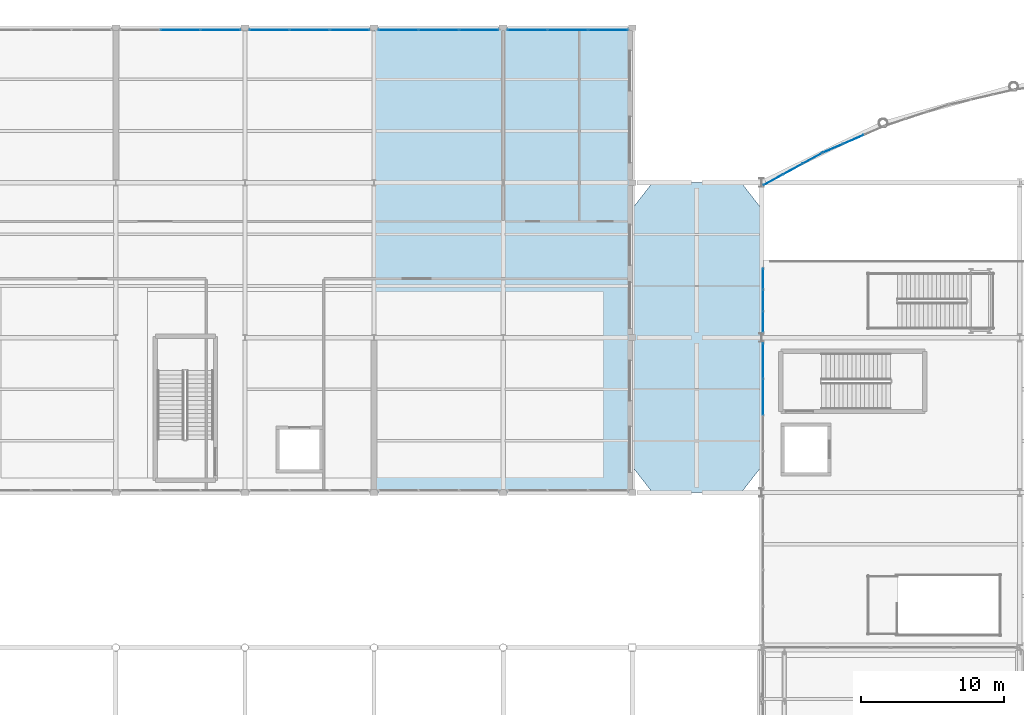
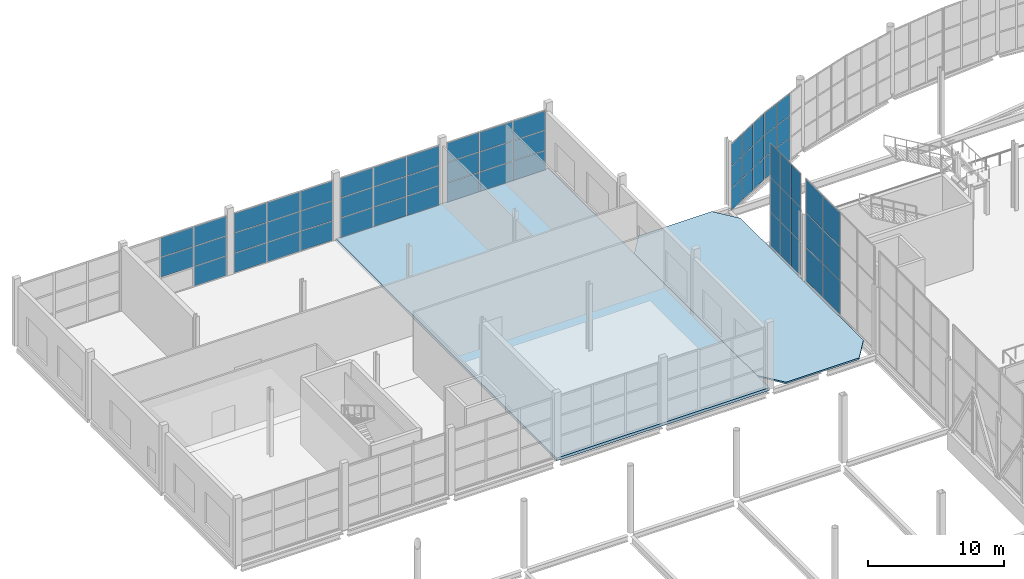
# One storey, part 153 of 191: 62 plates, 2 slabs, 8 elements without a shape of their own.
"""IFC4 building model written with IfcOpenShell, lengths in metres."""

from ifc_helpers import new_model, si_unit, direction, frame, origin, origin_2d, place, context, subcontext, project, spatial, polyline, rectangle, outline, extrude, material, layer, layer_set, type_object, element, aggregate, save


model = new_model("IFC4")

# Units and contexts
model_context = context("Model", 3, precision=1e-05, world=origin(), true_north=direction((0.0, 1.0)))
body_context = subcontext(model_context, "Body", "Model", "MODEL_VIEW")
ifc_project = project(units=[si_unit("LENGTHUNIT", "METRE"), si_unit("AREAUNIT", "SQUARE_METRE"), si_unit("VOLUMEUNIT", "CUBIC_METRE"), si_unit("PLANEANGLEUNIT", "RADIAN"), si_unit("MASSUNIT", "GRAM", prefix="KILO")], contexts=[model_context])

# Site, building, storey
site_placement = place(None, origin())
site = spatial("IfcSite", under=ifc_project, at=site_placement, CompositionType="ELEMENT")
building_placement = place(site_placement, origin())
building = spatial("IfcBuilding", under=site, at=building_placement, Name="Tamarisk Ironworks Central Station", CompositionType="ELEMENT")
storey_placement = place(building_placement, frame((0.0, 0.0, 6.60009765625)))
storey = spatial("IfcBuildingStorey", under=building, at=storey_placement, Name="L01", CompositionType="ELEMENT", Elevation=6.60009765625)

# Curtain wall, plates
ifc_material_1 = material(Name="Anodized aluminium alloy 6063-T6", Category="aluminium")
ifc_layer_1 = layer(ifc_material_1, 0.179931640625)
ifc_layer_set_1 = layer_set([ifc_layer_1], Name="Anodized aluminium alloy 6063-T6")
curtain_wall_type_1 = type_object("IfcCurtainWallType", Name="CW-08", PredefinedType="USERDEFINED", material=ifc_layer_set_1)
curtain_wall_1_placement = place(storey_placement, origin())
curtain_wall_1 = element("IfcCurtainWall", 1, at=curtain_wall_1_placement, inside=storey, type_object=curtain_wall_type_1, Name="Concourse W track-overlook curtain wall 07", ObjectType="GLAZED CURTAIN WALL", PredefinedType="USERDEFINED")
ifc_layer_2 = layer(ifc_material_1, 0.02392578125)
ifc_layer_set_2 = layer_set([ifc_layer_2], Name="Anodized aluminium alloy 6063-T6")
plate_type_1 = type_object("IfcPlateType", Name="PL-CWP24", PredefinedType="CURTAIN_PANEL", material=ifc_layer_set_2)
plate_1_placement = place(storey_placement, frame((54.1201171875, 96.66259765625, 0.0537109375), z_axis=(0.0, 0.0, 1.0), x_axis=(0.0, 1.0, 0.0)))
plate_1 = element("IfcPlate", 2, at=plate_1_placement, type_object=plate_type_1, Name="CW08 panel 3.1", PredefinedType="CURTAIN_PANEL", context=body_context, shape_type="SweptSolid", body=[
    extrude(rectangle(XDim=2.47705078125, YDim=0.02392578125, at=origin_2d()), origin(), (0.0, 0.0, 1.0), 2.995361328125),
])
plate_2_placement = place(storey_placement, frame((54.1201171875, 96.66259765625, 3.09716796875), z_axis=(0.0, 0.0, 1.0), x_axis=(0.0, 1.0, 0.0)))
plate_2 = element("IfcPlate", 3, at=plate_2_placement, type_object=plate_type_1, Name="CW08 panel 3.2", PredefinedType="CURTAIN_PANEL", context=body_context, shape_type="SweptSolid", body=[
    extrude(rectangle(XDim=2.47705078125, YDim=0.02392578125, at=origin_2d()), origin(), (0.0, 0.0, 1.0), 3.025390625),
])
plate_3_placement = place(storey_placement, frame((54.1201171875, 96.66259765625, 6.17041015625), z_axis=(0.0, 0.0, 1.0), x_axis=(0.0, 1.0, 0.0)))
plate_3 = element("IfcPlate", 4, at=plate_3_placement, type_object=plate_type_1, Name="CW08 panel 3.3", PredefinedType="CURTAIN_PANEL", context=body_context, shape_type="SweptSolid", body=[
    extrude(rectangle(XDim=2.47705078125, YDim=0.02392578125, at=origin_2d()), origin(), (0.0, 0.0, 1.0), 2.995361328125),
])
plate_4_placement = place(storey_placement, frame((54.1201171875, 99.172607421875, 0.0537109375), z_axis=(0.0, 0.0, 1.0), x_axis=(0.0, 1.0, 0.0)))
plate_4 = element("IfcPlate", 5, at=plate_4_placement, type_object=plate_type_1, Name="CW08 panel 4.1", PredefinedType="CURTAIN_PANEL", context=body_context, shape_type="SweptSolid", body=[
    extrude(rectangle(XDim=2.447021484375, YDim=0.02392578125, at=origin_2d()), origin(), (0.0, 0.0, 1.0), 2.995361328125),
])
plate_5_placement = place(storey_placement, frame((54.1201171875, 99.172607421875, 3.09716796875), z_axis=(0.0, 0.0, 1.0), x_axis=(0.0, 1.0, 0.0)))
plate_5 = element("IfcPlate", 6, at=plate_5_placement, type_object=plate_type_1, Name="CW08 panel 4.2", PredefinedType="CURTAIN_PANEL", context=body_context, shape_type="SweptSolid", body=[
    extrude(rectangle(XDim=2.447021484375, YDim=0.02392578125, at=origin_2d()), origin(), (0.0, 0.0, 1.0), 3.025390625),
])
plate_6_placement = place(storey_placement, frame((54.1201171875, 99.172607421875, 6.17041015625), z_axis=(0.0, 0.0, 1.0), x_axis=(0.0, 1.0, 0.0)))
plate_6 = element("IfcPlate", 7, at=plate_6_placement, type_object=plate_type_1, Name="CW08 panel 4.3", PredefinedType="CURTAIN_PANEL", context=body_context, shape_type="SweptSolid", body=[
    extrude(rectangle(XDim=2.447021484375, YDim=0.02392578125, at=origin_2d()), origin(), (0.0, 0.0, 1.0), 2.995361328125),
])
aggregate(curtain_wall_1, [plate_1, plate_2, plate_3, plate_4, plate_5, plate_6])

ifc_layer_3 = layer(ifc_material_1, 0.179931640625)
ifc_layer_set_3 = layer_set([ifc_layer_3], Name="Anodized aluminium alloy 6063-T6")
curtain_wall_type_2 = type_object("IfcCurtainWallType", Name="CW-02", PredefinedType="USERDEFINED", material=ifc_layer_set_3)
curtain_wall_2_placement = place(storey_placement, origin())
curtain_wall_2 = element("IfcCurtainWall", 8, at=curtain_wall_2_placement, inside=storey, type_object=curtain_wall_type_2, Name="NN rounded entrance hall L01 curtain wall bay 01", ObjectType="GLAZED CURTAIN WALL", PredefinedType="USERDEFINED")
ifc_material_2 = material(Name="Laminated solar-control low-E glass", Category="glass")
ifc_layer_4 = layer(ifc_material_2, 0.028076171875)
ifc_layer_set_4 = layer_set([ifc_layer_4], Name="Laminated solar-control low-E glass")
plate_type_2 = type_object("IfcPlateType", Name="PL-CWP28", PredefinedType="CURTAIN_PANEL", material=ifc_layer_set_4)
plate_7_placement = place(storey_placement, frame((54.817626953125, 111.796630859375, -0.3310546875), z_axis=(0.0, 0.0, 1.0), x_axis=(0.877374910495, 0.47980544644, 0.0)))
plate_7 = element("IfcPlate", 9, at=plate_7_placement, type_object=plate_type_2, Name="CW02 panel 1.1", PredefinedType="CURTAIN_PANEL", context=body_context, shape_type="SweptSolid", body=[
    extrude(rectangle(XDim=1.491943359375, YDim=0.028076171875, at=origin_2d()), origin(), (0.0, 0.0, 1.0), 1.923583984375),
])
plate_8_placement = place(storey_placement, frame((54.817626953125, 111.796630859375, 1.640625), z_axis=(0.0, 0.0, 1.0), x_axis=(0.877374910495, 0.47980544644, 0.0)))
plate_8 = element("IfcPlate", 10, at=plate_8_placement, type_object=plate_type_2, Name="CW02 panel 1.2", PredefinedType="CURTAIN_PANEL", context=body_context, shape_type="SweptSolid", body=[
    extrude(rectangle(XDim=1.491943359375, YDim=0.028076171875, at=origin_2d()), origin(), (0.0, 0.0, 1.0), 1.95361328125),
])
plate_9_placement = place(storey_placement, frame((54.817626953125, 111.796630859375, 3.64208984375), z_axis=(0.0, 0.0, 1.0), x_axis=(0.877374910495, 0.47980544644, 0.0)))
plate_9 = element("IfcPlate", 11, at=plate_9_placement, type_object=plate_type_2, Name="CW02 panel 1.3", PredefinedType="CURTAIN_PANEL", context=body_context, shape_type="SweptSolid", body=[
    extrude(rectangle(XDim=1.491943359375, YDim=0.028076171875, at=origin_2d()), origin(), (0.0, 0.0, 1.0), 1.923583984375),
])
plate_10_placement = place(storey_placement, frame((56.181640625, 112.542724609375, -0.3310546875), z_axis=(0.0, 0.0, 1.0), x_axis=(0.877374910495, 0.47980544644, 0.0)))
plate_10 = element("IfcPlate", 12, at=plate_10_placement, type_object=plate_type_2, Name="CW02 panel 2.1", PredefinedType="CURTAIN_PANEL", context=body_context, shape_type="SweptSolid", body=[
    extrude(rectangle(XDim=1.52197265625, YDim=0.028076171875, at=origin_2d()), origin(), (0.0, 0.0, 1.0), 1.923583984375),
])
plate_11_placement = place(storey_placement, frame((56.181640625, 112.542724609375, 1.640625), z_axis=(0.0, 0.0, 1.0), x_axis=(0.877374910495, 0.47980544644, 0.0)))
plate_11 = element("IfcPlate", 13, at=plate_11_placement, type_object=plate_type_2, Name="CW02 panel 2.2", PredefinedType="CURTAIN_PANEL", context=body_context, shape_type="SweptSolid", body=[
    extrude(rectangle(XDim=1.52197265625, YDim=0.028076171875, at=origin_2d()), origin(), (0.0, 0.0, 1.0), 1.95361328125),
])
plate_12_placement = place(storey_placement, frame((56.181640625, 112.542724609375, 3.64208984375), z_axis=(0.0, 0.0, 1.0), x_axis=(0.877374910495, 0.47980544644, 0.0)))
plate_12 = element("IfcPlate", 14, at=plate_12_placement, type_object=plate_type_2, Name="CW02 panel 2.3", PredefinedType="CURTAIN_PANEL", context=body_context, shape_type="SweptSolid", body=[
    extrude(rectangle(XDim=1.52197265625, YDim=0.028076171875, at=origin_2d()), origin(), (0.0, 0.0, 1.0), 1.923583984375),
])
plate_13_placement = place(storey_placement, frame((57.5458984375, 113.288818359375, -0.3310546875), z_axis=(0.0, 0.0, 1.0), x_axis=(0.877374910495, 0.47980544644, 0.0)))
plate_13 = element("IfcPlate", 15, at=plate_13_placement, type_object=plate_type_2, Name="CW02 panel 3.1", PredefinedType="CURTAIN_PANEL", context=body_context, shape_type="SweptSolid", body=[
    extrude(rectangle(XDim=1.491943359375, YDim=0.028076171875, at=origin_2d()), origin(), (0.0, 0.0, 1.0), 1.923583984375),
])
plate_14_placement = place(storey_placement, frame((57.5458984375, 113.288818359375, 1.640625), z_axis=(0.0, 0.0, 1.0), x_axis=(0.877374910495, 0.47980544644, 0.0)))
plate_14 = element("IfcPlate", 16, at=plate_14_placement, type_object=plate_type_2, Name="CW02 panel 3.2", PredefinedType="CURTAIN_PANEL", context=body_context, shape_type="SweptSolid", body=[
    extrude(rectangle(XDim=1.491943359375, YDim=0.028076171875, at=origin_2d()), origin(), (0.0, 0.0, 1.0), 1.95361328125),
])
plate_15_placement = place(storey_placement, frame((57.5458984375, 113.288818359375, 3.64208984375), z_axis=(0.0, 0.0, 1.0), x_axis=(0.877374910495, 0.47980544644, 0.0)))
plate_15 = element("IfcPlate", 17, at=plate_15_placement, type_object=plate_type_2, Name="CW02 panel 3.3", PredefinedType="CURTAIN_PANEL", context=body_context, shape_type="SweptSolid", body=[
    extrude(rectangle(XDim=1.491943359375, YDim=0.028076171875, at=origin_2d()), origin(), (0.0, 0.0, 1.0), 1.923583984375),
])
aggregate(curtain_wall_2, [plate_7, plate_8, plate_9, plate_10, plate_11, plate_12, plate_13, plate_14, plate_15])

curtain_wall_3_placement = place(storey_placement, origin())
curtain_wall_3 = element("IfcCurtainWall", 18, at=curtain_wall_3_placement, inside=storey, type_object=curtain_wall_type_2, Name="NN rounded entrance hall L01 curtain wall bay 02", ObjectType="GLAZED CURTAIN WALL", PredefinedType="USERDEFINED")
plate_16_placement = place(storey_placement, frame((58.981689453125, 113.990966796875, -0.3310546875), z_axis=(0.0, 0.0, 1.0), x_axis=(0.917352033503, 0.398076935564, 0.0)))
plate_16 = element("IfcPlate", 19, at=plate_16_placement, type_object=plate_type_2, Name="CW02 panel 1.1", PredefinedType="CURTAIN_PANEL", context=body_context, shape_type="SweptSolid", body=[
    extrude(rectangle(XDim=1.491943359375, YDim=0.028076171875, at=origin_2d()), origin(), (0.0, 0.0, 1.0), 1.923583984375),
])
plate_17_placement = place(storey_placement, frame((58.981689453125, 113.990966796875, 1.640625), z_axis=(0.0, 0.0, 1.0), x_axis=(0.917352033503, 0.398076935564, 0.0)))
plate_17 = element("IfcPlate", 20, at=plate_17_placement, type_object=plate_type_2, Name="CW02 panel 1.2", PredefinedType="CURTAIN_PANEL", context=body_context, shape_type="SweptSolid", body=[
    extrude(rectangle(XDim=1.491943359375, YDim=0.028076171875, at=origin_2d()), origin(), (0.0, 0.0, 1.0), 1.95361328125),
])
plate_18_placement = place(storey_placement, frame((58.981689453125, 113.990966796875, 3.64208984375), z_axis=(0.0, 0.0, 1.0), x_axis=(0.917352033503, 0.398076935564, 0.0)))
plate_18 = element("IfcPlate", 21, at=plate_18_placement, type_object=plate_type_2, Name="CW02 panel 1.3", PredefinedType="CURTAIN_PANEL", context=body_context, shape_type="SweptSolid", body=[
    extrude(rectangle(XDim=1.491943359375, YDim=0.028076171875, at=origin_2d()), origin(), (0.0, 0.0, 1.0), 1.923583984375),
])
plate_19_placement = place(storey_placement, frame((60.407958984375, 114.610107421875, -0.3310546875), z_axis=(0.0, 0.0, 1.0), x_axis=(0.917352033503, 0.398076935564, 0.0)))
plate_19 = element("IfcPlate", 22, at=plate_19_placement, type_object=plate_type_2, Name="CW02 panel 2.1", PredefinedType="CURTAIN_PANEL", context=body_context, shape_type="SweptSolid", body=[
    extrude(rectangle(XDim=1.52197265625, YDim=0.028076171875, at=origin_2d()), origin(), (0.0, 0.0, 1.0), 1.923583984375),
])
plate_20_placement = place(storey_placement, frame((60.407958984375, 114.610107421875, 1.640625), z_axis=(0.0, 0.0, 1.0), x_axis=(0.917352033503, 0.398076935564, 0.0)))
plate_20 = element("IfcPlate", 23, at=plate_20_placement, type_object=plate_type_2, Name="CW02 panel 2.2", PredefinedType="CURTAIN_PANEL", context=body_context, shape_type="SweptSolid", body=[
    extrude(rectangle(XDim=1.52197265625, YDim=0.028076171875, at=origin_2d()), origin(), (0.0, 0.0, 1.0), 1.95361328125),
])
plate_21_placement = place(storey_placement, frame((60.407958984375, 114.610107421875, 3.64208984375), z_axis=(0.0, 0.0, 1.0), x_axis=(0.917352033503, 0.398076935564, 0.0)))
plate_21 = element("IfcPlate", 24, at=plate_21_placement, type_object=plate_type_2, Name="CW02 panel 2.3", PredefinedType="CURTAIN_PANEL", context=body_context, shape_type="SweptSolid", body=[
    extrude(rectangle(XDim=1.52197265625, YDim=0.028076171875, at=origin_2d()), origin(), (0.0, 0.0, 1.0), 1.923583984375),
])
aggregate(curtain_wall_3, [plate_16, plate_17, plate_18, plate_19, plate_20, plate_21])

ifc_layer_5 = layer(ifc_material_1, 0.179931640625)
ifc_layer_set_5 = layer_set([ifc_layer_5], Name="Anodized aluminium alloy 6063-T6")
curtain_wall_type_3 = type_object("IfcCurtainWallType", Name="CW-05", PredefinedType="USERDEFINED", material=ifc_layer_set_5)
curtain_wall_4_placement = place(storey_placement, origin())
curtain_wall_4 = element("IfcCurtainWall", 25, at=curtain_wall_4_placement, inside=storey, type_object=curtain_wall_type_3, Name="Concourse W track-overlook curtain wall 08", ObjectType="GLAZED CURTAIN WALL", PredefinedType="USERDEFINED")
plate_22_placement = place(storey_placement, frame((54.1201171875, 101.9150390625, 0.0537109375), z_axis=(0.0, 0.0, 1.0), x_axis=(0.0, 1.0, 0.0)))
plate_22 = element("IfcPlate", 26, at=plate_22_placement, type_object=plate_type_2, Name="CW05 panel 1.1", PredefinedType="CURTAIN_PANEL", context=body_context, shape_type="SweptSolid", body=[
    extrude(rectangle(XDim=1.422119140625, YDim=0.028076171875, at=origin_2d()), origin(), (0.0, 0.0, 1.0), 2.995361328125),
])
plate_23_placement = place(storey_placement, frame((54.1201171875, 101.9150390625, 3.09716796875), z_axis=(0.0, 0.0, 1.0), x_axis=(0.0, 1.0, 0.0)))
plate_23 = element("IfcPlate", 27, at=plate_23_placement, type_object=plate_type_2, Name="CW05 panel 1.2", PredefinedType="CURTAIN_PANEL", context=body_context, shape_type="SweptSolid", body=[
    extrude(rectangle(XDim=1.422119140625, YDim=0.028076171875, at=origin_2d()), origin(), (0.0, 0.0, 1.0), 3.025390625),
])
plate_24_placement = place(storey_placement, frame((54.1201171875, 101.9150390625, 6.17041015625), z_axis=(0.0, 0.0, 1.0), x_axis=(0.0, 1.0, 0.0)))
plate_24 = element("IfcPlate", 28, at=plate_24_placement, type_object=plate_type_2, Name="CW05 panel 1.3", PredefinedType="CURTAIN_PANEL", context=body_context, shape_type="SweptSolid", body=[
    extrude(rectangle(XDim=1.422119140625, YDim=0.028076171875, at=origin_2d()), origin(), (0.0, 0.0, 1.0), 2.995361328125),
])
plate_25_placement = place(storey_placement, frame((54.1201171875, 103.39990234375, 0.0537109375), z_axis=(0.0, 0.0, 1.0), x_axis=(0.0, 1.0, 0.0)))
plate_25 = element("IfcPlate", 29, at=plate_25_placement, type_object=plate_type_2, Name="CW05 panel 2.1", PredefinedType="CURTAIN_PANEL", context=body_context, shape_type="SweptSolid", body=[
    extrude(rectangle(XDim=1.451904296875, YDim=0.028076171875, at=origin_2d()), origin(), (0.0, 0.0, 1.0), 2.995361328125),
])
plate_26_placement = place(storey_placement, frame((54.1201171875, 103.39990234375, 3.09716796875), z_axis=(0.0, 0.0, 1.0), x_axis=(0.0, 1.0, 0.0)))
plate_26 = element("IfcPlate", 30, at=plate_26_placement, type_object=plate_type_2, Name="CW05 panel 2.2", PredefinedType="CURTAIN_PANEL", context=body_context, shape_type="SweptSolid", body=[
    extrude(rectangle(XDim=1.451904296875, YDim=0.028076171875, at=origin_2d()), origin(), (0.0, 0.0, 1.0), 3.025390625),
])
plate_27_placement = place(storey_placement, frame((54.1201171875, 103.39990234375, 6.17041015625), z_axis=(0.0, 0.0, 1.0), x_axis=(0.0, 1.0, 0.0)))
plate_27 = element("IfcPlate", 31, at=plate_27_placement, type_object=plate_type_2, Name="CW05 panel 2.3", PredefinedType="CURTAIN_PANEL", context=body_context, shape_type="SweptSolid", body=[
    extrude(rectangle(XDim=1.451904296875, YDim=0.028076171875, at=origin_2d()), origin(), (0.0, 0.0, 1.0), 2.995361328125),
])
plate_28_placement = place(storey_placement, frame((54.1201171875, 104.885009765625, 0.0537109375), z_axis=(0.0, 0.0, 1.0), x_axis=(0.0, 1.0, 0.0)))
plate_28 = element("IfcPlate", 32, at=plate_28_placement, type_object=plate_type_2, Name="CW05 panel 3.1", PredefinedType="CURTAIN_PANEL", context=body_context, shape_type="SweptSolid", body=[
    extrude(rectangle(XDim=1.422119140625, YDim=0.028076171875, at=origin_2d()), origin(), (0.0, 0.0, 1.0), 2.995361328125),
])
plate_29_placement = place(storey_placement, frame((54.1201171875, 104.885009765625, 3.09716796875), z_axis=(0.0, 0.0, 1.0), x_axis=(0.0, 1.0, 0.0)))
plate_29 = element("IfcPlate", 33, at=plate_29_placement, type_object=plate_type_2, Name="CW05 panel 3.2", PredefinedType="CURTAIN_PANEL", context=body_context, shape_type="SweptSolid", body=[
    extrude(rectangle(XDim=1.422119140625, YDim=0.028076171875, at=origin_2d()), origin(), (0.0, 0.0, 1.0), 3.025390625),
])
plate_30_placement = place(storey_placement, frame((54.1201171875, 104.885009765625, 6.17041015625), z_axis=(0.0, 0.0, 1.0), x_axis=(0.0, 1.0, 0.0)))
plate_30 = element("IfcPlate", 34, at=plate_30_placement, type_object=plate_type_2, Name="CW05 panel 3.3", PredefinedType="CURTAIN_PANEL", context=body_context, shape_type="SweptSolid", body=[
    extrude(rectangle(XDim=1.422119140625, YDim=0.028076171875, at=origin_2d()), origin(), (0.0, 0.0, 1.0), 2.995361328125),
])
aggregate(curtain_wall_4, [plate_22, plate_23, plate_24, plate_25, plate_26, plate_27, plate_28, plate_29, plate_30])

ifc_layer_6 = layer(ifc_material_1, 0.179931640625)
ifc_layer_set_6 = layer_set([ifc_layer_6], Name="Anodized aluminium alloy 6063-T6")
curtain_wall_type_4 = type_object("IfcCurtainWallType", Name="CW-13", PredefinedType="USERDEFINED", material=ifc_layer_set_6)
curtain_wall_5_placement = place(storey_placement, origin())
curtain_wall_5 = element("IfcCurtainWall", 35, at=curtain_wall_5_placement, inside=storey, type_object=curtain_wall_type_4, Name="Pavilion L01 N glazed arcade 09", ObjectType="GLAZED CURTAIN WALL", PredefinedType="USERDEFINED")
plate_31_placement = place(storey_placement, frame((13.5, 122.25, 1.8330078125), z_axis=(0.0, 0.0, 1.0), x_axis=(1.0, 0.0, 0.0)))
plate_31 = element("IfcPlate", 36, at=plate_31_placement, type_object=plate_type_2, Name="CW13 panel 2.2", PredefinedType="CURTAIN_PANEL", context=body_context, shape_type="SweptSolid", body=[
    extrude(rectangle(XDim=2.764892578125, YDim=0.028076171875, at=origin_2d()), origin(), (0.0, 0.0, 1.0), 1.753662109375),
])
plate_32_placement = place(storey_placement, frame((13.5, 122.25, 3.6396484375), z_axis=(0.0, 0.0, 1.0), x_axis=(1.0, 0.0, 0.0)))
plate_32 = element("IfcPlate", 37, at=plate_32_placement, type_object=plate_type_2, Name="CW13 panel 2.3", PredefinedType="CURTAIN_PANEL", context=body_context, shape_type="SweptSolid", body=[
    extrude(rectangle(XDim=2.764892578125, YDim=0.028076171875, at=origin_2d()), origin(), (0.0, 0.0, 1.0), 1.72119140625),
])
plate_33_placement = place(storey_placement, frame((16.3017578125, 122.25, 0.058837890625), z_axis=(0.0, 0.0, 1.0), x_axis=(1.0, 0.0, 0.0)))
plate_33 = element("IfcPlate", 38, at=plate_33_placement, type_object=plate_type_2, Name="CW13 panel 3.1", PredefinedType="CURTAIN_PANEL", context=body_context, shape_type="SweptSolid", body=[
    extrude(rectangle(XDim=2.732421875, YDim=0.028076171875, at=origin_2d()), origin(), (0.0, 0.0, 1.0), 1.72119140625),
])
plate_34_placement = place(storey_placement, frame((16.3017578125, 122.25, 1.8330078125), z_axis=(0.0, 0.0, 1.0), x_axis=(1.0, 0.0, 0.0)))
plate_34 = element("IfcPlate", 39, at=plate_34_placement, type_object=plate_type_2, Name="CW13 panel 3.2", PredefinedType="CURTAIN_PANEL", context=body_context, shape_type="SweptSolid", body=[
    extrude(rectangle(XDim=2.732421875, YDim=0.028076171875, at=origin_2d()), origin(), (0.0, 0.0, 1.0), 1.753662109375),
])
plate_35_placement = place(storey_placement, frame((16.3017578125, 122.25, 3.6396484375), z_axis=(0.0, 0.0, 1.0), x_axis=(1.0, 0.0, 0.0)))
plate_35 = element("IfcPlate", 40, at=plate_35_placement, type_object=plate_type_2, Name="CW13 panel 3.3", PredefinedType="CURTAIN_PANEL", context=body_context, shape_type="SweptSolid", body=[
    extrude(rectangle(XDim=2.732421875, YDim=0.028076171875, at=origin_2d()), origin(), (0.0, 0.0, 1.0), 1.72119140625),
])
aggregate(curtain_wall_5, [plate_31, plate_32, plate_33, plate_34, plate_35])

curtain_wall_6_placement = place(storey_placement, origin())
curtain_wall_6 = element("IfcCurtainWall", 41, at=curtain_wall_6_placement, inside=storey, type_object=curtain_wall_type_4, Name="Pavilion L01 N glazed arcade 18", ObjectType="GLAZED CURTAIN WALL", PredefinedType="USERDEFINED")
plate_36_placement = place(storey_placement, frame((19.6982421875, 122.25, 0.058837890625), z_axis=(0.0, 0.0, 1.0), x_axis=(1.0, 0.0, 0.0)))
plate_36 = element("IfcPlate", 42, at=plate_36_placement, type_object=plate_type_2, Name="CW13 panel 1.1", PredefinedType="CURTAIN_PANEL", context=body_context, shape_type="SweptSolid", body=[
    extrude(rectangle(XDim=2.732421875, YDim=0.028076171875, at=origin_2d()), origin(), (0.0, 0.0, 1.0), 1.72119140625),
])
plate_37_placement = place(storey_placement, frame((19.6982421875, 122.25, 1.8330078125), z_axis=(0.0, 0.0, 1.0), x_axis=(1.0, 0.0, 0.0)))
plate_37 = element("IfcPlate", 43, at=plate_37_placement, type_object=plate_type_2, Name="CW13 panel 1.2", PredefinedType="CURTAIN_PANEL", context=body_context, shape_type="SweptSolid", body=[
    extrude(rectangle(XDim=2.732421875, YDim=0.028076171875, at=origin_2d()), origin(), (0.0, 0.0, 1.0), 1.753662109375),
])
plate_38_placement = place(storey_placement, frame((19.6982421875, 122.25, 3.6396484375), z_axis=(0.0, 0.0, 1.0), x_axis=(1.0, 0.0, 0.0)))
plate_38 = element("IfcPlate", 44, at=plate_38_placement, type_object=plate_type_2, Name="CW13 panel 1.3", PredefinedType="CURTAIN_PANEL", context=body_context, shape_type="SweptSolid", body=[
    extrude(rectangle(XDim=2.732421875, YDim=0.028076171875, at=origin_2d()), origin(), (0.0, 0.0, 1.0), 1.72119140625),
])
plate_39_placement = place(storey_placement, frame((22.5, 122.25, 0.058837890625), z_axis=(0.0, 0.0, 1.0), x_axis=(1.0, 0.0, 0.0)))
plate_39 = element("IfcPlate", 45, at=plate_39_placement, type_object=plate_type_2, Name="CW13 panel 2.1", PredefinedType="CURTAIN_PANEL", context=body_context, shape_type="SweptSolid", body=[
    extrude(rectangle(XDim=2.764892578125, YDim=0.028076171875, at=origin_2d()), origin(), (0.0, 0.0, 1.0), 1.72119140625),
])
plate_40_placement = place(storey_placement, frame((22.5, 122.25, 1.8330078125), z_axis=(0.0, 0.0, 1.0), x_axis=(1.0, 0.0, 0.0)))
plate_40 = element("IfcPlate", 46, at=plate_40_placement, type_object=plate_type_2, Name="CW13 panel 2.2", PredefinedType="CURTAIN_PANEL", context=body_context, shape_type="SweptSolid", body=[
    extrude(rectangle(XDim=2.764892578125, YDim=0.028076171875, at=origin_2d()), origin(), (0.0, 0.0, 1.0), 1.753662109375),
])
plate_41_placement = place(storey_placement, frame((22.5, 122.25, 3.6396484375), z_axis=(0.0, 0.0, 1.0), x_axis=(1.0, 0.0, 0.0)))
plate_41 = element("IfcPlate", 47, at=plate_41_placement, type_object=plate_type_2, Name="CW13 panel 2.3", PredefinedType="CURTAIN_PANEL", context=body_context, shape_type="SweptSolid", body=[
    extrude(rectangle(XDim=2.764892578125, YDim=0.028076171875, at=origin_2d()), origin(), (0.0, 0.0, 1.0), 1.72119140625),
])
plate_42_placement = place(storey_placement, frame((25.3017578125, 122.25, 0.058837890625), z_axis=(0.0, 0.0, 1.0), x_axis=(1.0, 0.0, 0.0)))
plate_42 = element("IfcPlate", 48, at=plate_42_placement, type_object=plate_type_2, Name="CW13 panel 3.1", PredefinedType="CURTAIN_PANEL", context=body_context, shape_type="SweptSolid", body=[
    extrude(rectangle(XDim=2.732421875, YDim=0.028076171875, at=origin_2d()), origin(), (0.0, 0.0, 1.0), 1.72119140625),
])
plate_43_placement = place(storey_placement, frame((25.3017578125, 122.25, 1.8330078125), z_axis=(0.0, 0.0, 1.0), x_axis=(1.0, 0.0, 0.0)))
plate_43 = element("IfcPlate", 49, at=plate_43_placement, type_object=plate_type_2, Name="CW13 panel 3.2", PredefinedType="CURTAIN_PANEL", context=body_context, shape_type="SweptSolid", body=[
    extrude(rectangle(XDim=2.732421875, YDim=0.028076171875, at=origin_2d()), origin(), (0.0, 0.0, 1.0), 1.753662109375),
])
plate_44_placement = place(storey_placement, frame((25.3017578125, 122.25, 3.6396484375), z_axis=(0.0, 0.0, 1.0), x_axis=(1.0, 0.0, 0.0)))
plate_44 = element("IfcPlate", 50, at=plate_44_placement, type_object=plate_type_2, Name="CW13 panel 3.3", PredefinedType="CURTAIN_PANEL", context=body_context, shape_type="SweptSolid", body=[
    extrude(rectangle(XDim=2.732421875, YDim=0.028076171875, at=origin_2d()), origin(), (0.0, 0.0, 1.0), 1.72119140625),
])
aggregate(curtain_wall_6, [plate_36, plate_37, plate_38, plate_39, plate_40, plate_41, plate_42, plate_43, plate_44])

curtain_wall_7_placement = place(storey_placement, origin())
curtain_wall_7 = element("IfcCurtainWall", 51, at=curtain_wall_7_placement, inside=storey, type_object=curtain_wall_type_4, Name="Pavilion L01 N glazed arcade 27", ObjectType="GLAZED CURTAIN WALL", PredefinedType="USERDEFINED")
plate_45_placement = place(storey_placement, frame((28.6982421875, 122.25, 0.058837890625), z_axis=(0.0, 0.0, 1.0), x_axis=(1.0, 0.0, 0.0)))
plate_45 = element("IfcPlate", 52, at=plate_45_placement, type_object=plate_type_2, Name="CW13 panel 1.1", PredefinedType="CURTAIN_PANEL", context=body_context, shape_type="SweptSolid", body=[
    extrude(rectangle(XDim=2.732421875, YDim=0.028076171875, at=origin_2d()), origin(), (0.0, 0.0, 1.0), 1.72119140625),
])
plate_46_placement = place(storey_placement, frame((28.6982421875, 122.25, 1.8330078125), z_axis=(0.0, 0.0, 1.0), x_axis=(1.0, 0.0, 0.0)))
plate_46 = element("IfcPlate", 53, at=plate_46_placement, type_object=plate_type_2, Name="CW13 panel 1.2", PredefinedType="CURTAIN_PANEL", context=body_context, shape_type="SweptSolid", body=[
    extrude(rectangle(XDim=2.732421875, YDim=0.028076171875, at=origin_2d()), origin(), (0.0, 0.0, 1.0), 1.753662109375),
])
plate_47_placement = place(storey_placement, frame((28.6982421875, 122.25, 3.6396484375), z_axis=(0.0, 0.0, 1.0), x_axis=(1.0, 0.0, 0.0)))
plate_47 = element("IfcPlate", 54, at=plate_47_placement, type_object=plate_type_2, Name="CW13 panel 1.3", PredefinedType="CURTAIN_PANEL", context=body_context, shape_type="SweptSolid", body=[
    extrude(rectangle(XDim=2.732421875, YDim=0.028076171875, at=origin_2d()), origin(), (0.0, 0.0, 1.0), 1.72119140625),
])
plate_48_placement = place(storey_placement, frame((31.5, 122.25, 0.058837890625), z_axis=(0.0, 0.0, 1.0), x_axis=(1.0, 0.0, 0.0)))
plate_48 = element("IfcPlate", 55, at=plate_48_placement, type_object=plate_type_2, Name="CW13 panel 2.1", PredefinedType="CURTAIN_PANEL", context=body_context, shape_type="SweptSolid", body=[
    extrude(rectangle(XDim=2.764892578125, YDim=0.028076171875, at=origin_2d()), origin(), (0.0, 0.0, 1.0), 1.72119140625),
])
plate_49_placement = place(storey_placement, frame((31.5, 122.25, 1.8330078125), z_axis=(0.0, 0.0, 1.0), x_axis=(1.0, 0.0, 0.0)))
plate_49 = element("IfcPlate", 56, at=plate_49_placement, type_object=plate_type_2, Name="CW13 panel 2.2", PredefinedType="CURTAIN_PANEL", context=body_context, shape_type="SweptSolid", body=[
    extrude(rectangle(XDim=2.764892578125, YDim=0.028076171875, at=origin_2d()), origin(), (0.0, 0.0, 1.0), 1.753662109375),
])
plate_50_placement = place(storey_placement, frame((31.5, 122.25, 3.6396484375), z_axis=(0.0, 0.0, 1.0), x_axis=(1.0, 0.0, 0.0)))
plate_50 = element("IfcPlate", 57, at=plate_50_placement, type_object=plate_type_2, Name="CW13 panel 2.3", PredefinedType="CURTAIN_PANEL", context=body_context, shape_type="SweptSolid", body=[
    extrude(rectangle(XDim=2.764892578125, YDim=0.028076171875, at=origin_2d()), origin(), (0.0, 0.0, 1.0), 1.72119140625),
])
plate_51_placement = place(storey_placement, frame((34.3017578125, 122.25, 0.058837890625), z_axis=(0.0, 0.0, 1.0), x_axis=(1.0, 0.0, 0.0)))
plate_51 = element("IfcPlate", 58, at=plate_51_placement, type_object=plate_type_2, Name="CW13 panel 3.1", PredefinedType="CURTAIN_PANEL", context=body_context, shape_type="SweptSolid", body=[
    extrude(rectangle(XDim=2.732421875, YDim=0.028076171875, at=origin_2d()), origin(), (0.0, 0.0, 1.0), 1.72119140625),
])
plate_52_placement = place(storey_placement, frame((34.3017578125, 122.25, 1.8330078125), z_axis=(0.0, 0.0, 1.0), x_axis=(1.0, 0.0, 0.0)))
plate_52 = element("IfcPlate", 59, at=plate_52_placement, type_object=plate_type_2, Name="CW13 panel 3.2", PredefinedType="CURTAIN_PANEL", context=body_context, shape_type="SweptSolid", body=[
    extrude(rectangle(XDim=2.732421875, YDim=0.028076171875, at=origin_2d()), origin(), (0.0, 0.0, 1.0), 1.753662109375),
])
plate_53_placement = place(storey_placement, frame((34.3017578125, 122.25, 3.6396484375), z_axis=(0.0, 0.0, 1.0), x_axis=(1.0, 0.0, 0.0)))
plate_53 = element("IfcPlate", 60, at=plate_53_placement, type_object=plate_type_2, Name="CW13 panel 3.3", PredefinedType="CURTAIN_PANEL", context=body_context, shape_type="SweptSolid", body=[
    extrude(rectangle(XDim=2.732421875, YDim=0.028076171875, at=origin_2d()), origin(), (0.0, 0.0, 1.0), 1.72119140625),
])
aggregate(curtain_wall_7, [plate_45, plate_46, plate_47, plate_48, plate_49, plate_50, plate_51, plate_52, plate_53])

curtain_wall_8_placement = place(storey_placement, origin())
curtain_wall_8 = element("IfcCurtainWall", 61, at=curtain_wall_8_placement, inside=storey, type_object=curtain_wall_type_4, Name="Pavilion L01 N glazed arcade 36", ObjectType="GLAZED CURTAIN WALL", PredefinedType="USERDEFINED")
plate_54_placement = place(storey_placement, frame((37.6982421875, 122.25, 0.058837890625), z_axis=(0.0, 0.0, 1.0), x_axis=(1.0, 0.0, 0.0)))
plate_54 = element("IfcPlate", 62, at=plate_54_placement, type_object=plate_type_2, Name="CW13 panel 1.1", PredefinedType="CURTAIN_PANEL", context=body_context, shape_type="SweptSolid", body=[
    extrude(rectangle(XDim=2.732421875, YDim=0.028076171875, at=origin_2d()), origin(), (0.0, 0.0, 1.0), 1.72119140625),
])
plate_55_placement = place(storey_placement, frame((37.6982421875, 122.25, 1.8330078125), z_axis=(0.0, 0.0, 1.0), x_axis=(1.0, 0.0, 0.0)))
plate_55 = element("IfcPlate", 63, at=plate_55_placement, type_object=plate_type_2, Name="CW13 panel 1.2", PredefinedType="CURTAIN_PANEL", context=body_context, shape_type="SweptSolid", body=[
    extrude(rectangle(XDim=2.732421875, YDim=0.028076171875, at=origin_2d()), origin(), (0.0, 0.0, 1.0), 1.753662109375),
])
plate_56_placement = place(storey_placement, frame((37.6982421875, 122.25, 3.6396484375), z_axis=(0.0, 0.0, 1.0), x_axis=(1.0, 0.0, 0.0)))
plate_56 = element("IfcPlate", 64, at=plate_56_placement, type_object=plate_type_2, Name="CW13 panel 1.3", PredefinedType="CURTAIN_PANEL", context=body_context, shape_type="SweptSolid", body=[
    extrude(rectangle(XDim=2.732421875, YDim=0.028076171875, at=origin_2d()), origin(), (0.0, 0.0, 1.0), 1.72119140625),
])
plate_57_placement = place(storey_placement, frame((40.5, 122.25, 0.058837890625), z_axis=(0.0, 0.0, 1.0), x_axis=(1.0, 0.0, 0.0)))
plate_57 = element("IfcPlate", 65, at=plate_57_placement, type_object=plate_type_2, Name="CW13 panel 2.1", PredefinedType="CURTAIN_PANEL", context=body_context, shape_type="SweptSolid", body=[
    extrude(rectangle(XDim=2.764892578125, YDim=0.028076171875, at=origin_2d()), origin(), (0.0, 0.0, 1.0), 1.72119140625),
])
plate_58_placement = place(storey_placement, frame((40.5, 122.25, 1.8330078125), z_axis=(0.0, 0.0, 1.0), x_axis=(1.0, 0.0, 0.0)))
plate_58 = element("IfcPlate", 66, at=plate_58_placement, type_object=plate_type_2, Name="CW13 panel 2.2", PredefinedType="CURTAIN_PANEL", context=body_context, shape_type="SweptSolid", body=[
    extrude(rectangle(XDim=2.764892578125, YDim=0.028076171875, at=origin_2d()), origin(), (0.0, 0.0, 1.0), 1.753662109375),
])
plate_59_placement = place(storey_placement, frame((40.5, 122.25, 3.6396484375), z_axis=(0.0, 0.0, 1.0), x_axis=(1.0, 0.0, 0.0)))
plate_59 = element("IfcPlate", 67, at=plate_59_placement, type_object=plate_type_2, Name="CW13 panel 2.3", PredefinedType="CURTAIN_PANEL", context=body_context, shape_type="SweptSolid", body=[
    extrude(rectangle(XDim=2.764892578125, YDim=0.028076171875, at=origin_2d()), origin(), (0.0, 0.0, 1.0), 1.72119140625),
])
plate_60_placement = place(storey_placement, frame((43.3017578125, 122.25, 0.058837890625), z_axis=(0.0, 0.0, 1.0), x_axis=(1.0, 0.0, 0.0)))
plate_60 = element("IfcPlate", 68, at=plate_60_placement, type_object=plate_type_2, Name="CW13 panel 3.1", PredefinedType="CURTAIN_PANEL", context=body_context, shape_type="SweptSolid", body=[
    extrude(rectangle(XDim=2.732421875, YDim=0.028076171875, at=origin_2d()), origin(), (0.0, 0.0, 1.0), 1.72119140625),
])
plate_61_placement = place(storey_placement, frame((43.3017578125, 122.25, 1.8330078125), z_axis=(0.0, 0.0, 1.0), x_axis=(1.0, 0.0, 0.0)))
plate_61 = element("IfcPlate", 69, at=plate_61_placement, type_object=plate_type_2, Name="CW13 panel 3.2", PredefinedType="CURTAIN_PANEL", context=body_context, shape_type="SweptSolid", body=[
    extrude(rectangle(XDim=2.732421875, YDim=0.028076171875, at=origin_2d()), origin(), (0.0, 0.0, 1.0), 1.753662109375),
])
plate_62_placement = place(storey_placement, frame((43.3017578125, 122.25, 3.6396484375), z_axis=(0.0, 0.0, 1.0), x_axis=(1.0, 0.0, 0.0)))
plate_62 = element("IfcPlate", 70, at=plate_62_placement, type_object=plate_type_2, Name="CW13 panel 3.3", PredefinedType="CURTAIN_PANEL", context=body_context, shape_type="SweptSolid", body=[
    extrude(rectangle(XDim=2.732421875, YDim=0.028076171875, at=origin_2d()), origin(), (0.0, 0.0, 1.0), 1.72119140625),
])
aggregate(curtain_wall_8, [plate_54, plate_55, plate_56, plate_57, plate_58, plate_59, plate_60, plate_61, plate_62])

# Slabs
ifc_material_3 = material(Name="Precast concrete C45/55", Category="concrete")
ifc_layer_7 = layer(ifc_material_3, 0.139892578125)
ifc_layer_set_7 = layer_set([ifc_layer_7], Name="Precast concrete C45/55")
slab_type_1 = type_object("IfcSlabType", Name="SL-CN140", PredefinedType="ROOF", material=ifc_layer_set_7)
slab_1_placement = place(storey_placement, frame((0.0, 0.0, -0.14013671875)))
element("IfcSlab", 71, at=slab_1_placement, inside=storey, type_object=slab_type_1, Name="Forecourt Canopy Roof Slab CN-WEST", PredefinedType="ROOF", context=body_context, shape_type="SweptSolid", body=[
    extrude(outline(polyline([(46.39990234375, 90.0), (52.60009765625, 90.0), (54.0, 91.800048828125), (54.0, 109.800048828125), (52.60009765625, 111.60009765625), (46.39990234375, 111.60009765625), (45.0, 109.800048828125), (45.0, 91.800048828125), (46.39990234375, 90.0)])), origin(), (0.0, 0.0, 1.0), 0.14013671875),
])
ifc_material_4 = material(Name="Concrete C35/45", Category="concrete")
ifc_layer_8 = layer(ifc_material_4, 0.25)
ifc_layer_set_8 = layer_set([ifc_layer_8], Name="Concrete C35/45")
slab_type_2 = type_object("IfcSlabType", Name="SL-FL250", PredefinedType="FLOOR", material=ifc_layer_set_8)
slab_2_placement = place(storey_placement, frame((0.0, 0.0, -0.25)))
element("IfcSlab", 72, at=slab_2_placement, inside=storey, type_object=slab_type_2, Name="L01 Suspended Floor Slab V4-B", PredefinedType="FLOOR", context=body_context, shape_type="SweptSolid", body=[
    extrude(outline(polyline([(27.0, 90.0), (45.0, 90.0), (45.0, 122.39990234375), (27.0, 122.39990234375), (27.0, 90.0)])), origin(), (0.0, 0.0, 1.0), 0.25),
])

save(model, "model.ifc")
